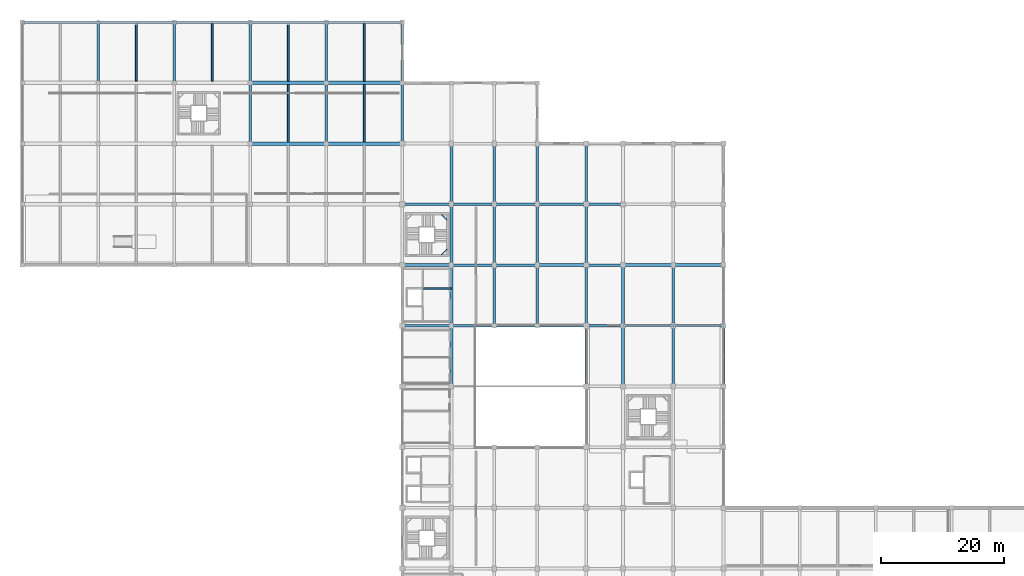
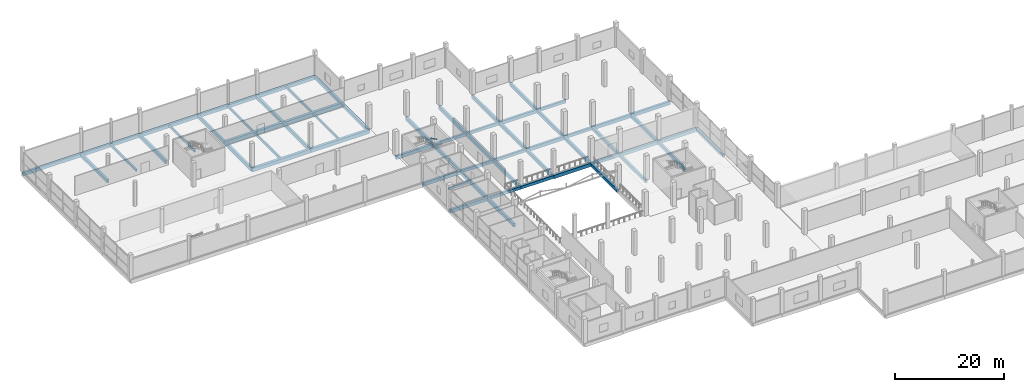
# One storey, part 30 of 74: 64 beams.
"""IFC4 building model written with IfcOpenShell, lengths in metres."""

import ifcopenshell
import ifcopenshell.guid

model = None  # the IFC model being written
_history = None  # IfcOwnerHistory: only IFC2X3 demands one
_inside = {}  # id of a spatial element -> (the spatial element, [elements in it])
_under = {}  # id of a project, library or spatial element -> (it, [spatial elements below it])
_declared = {}  # id of a project -> (the project, [libraries it declares])
_typed = {}  # id of a type object -> (the type object, [elements of that type])
_made_of = {}  # id of a material, layer set ... -> (it, [elements and type objects made of it])


def new_model(schema):
    """Start an empty IFC model of exactly this schema.

    Asked for "IFC4X3", IfcOpenShell would pick the latest addendum, in which some entities
    have other attributes; the version numbers below select the first issue.
    IFC2X3 requires an IfcOwnerHistory on every rooted entity: one is made here for all.
    """
    global model, _history
    if schema == "IFC4X3":
        model = ifcopenshell.file(schema_version=(4, 3, 0, 0))
    else:
        model = ifcopenshell.file(schema=schema)
    _inside.clear()
    _under.clear()
    _declared.clear()
    _typed.clear()
    _made_of.clear()
    _history = None
    if model.schema == "IFC2X3":
        org = make("IfcOrganization", Name="unknown")
        user = make(
            "IfcPersonAndOrganization",
            ThePerson=make("IfcPerson", FamilyName="unknown"),
            TheOrganization=org,
        )
        app = make(
            "IfcApplication",
            ApplicationDeveloper=org,
            Version="unknown",
            ApplicationFullName="unknown",
            ApplicationIdentifier="unknown",
        )
        _history = make(
            "IfcOwnerHistory",
            OwningUser=user,
            OwningApplication=app,
            ChangeAction="ADDED",
            CreationDate=0,
        )
    return model


def make(cls, **values):
    """One entity of the class cls with the attributes given. An attribute that is None is left unset."""
    return model.create_entity(
        cls, **{name: value for name, value in values.items() if value is not None}
    )


def rooted(cls, **values):
    """An entity with a GlobalId (a new one), such as an element, a storey or a relation."""
    return make(cls, GlobalId=ifcopenshell.guid.new(), OwnerHistory=_history, **values)


def si_unit(unit_type, name, prefix=None):
    """IfcSIUnit, for example si_unit("LENGTHUNIT", "METRE", prefix="MILLI")."""
    return make("IfcSIUnit", UnitType=unit_type, Prefix=prefix, Name=name)


def assignment(units):
    """IfcUnitAssignment: the units of a project."""
    return None if units is None else make("IfcUnitAssignment", Units=units)


def point(xyz):
    """IfcCartesianPoint."""
    return None if xyz is None else make("IfcCartesianPoint", Coordinates=xyz)


def direction(xyz):
    """IfcDirection."""
    return None if xyz is None else make("IfcDirection", DirectionRatios=xyz)


def frame(location, z_axis=None, x_axis=None):
    """IfcAxis2Placement3D, a coordinate frame: its origin and axes. An axis left out is left unset."""
    return make(
        "IfcAxis2Placement3D",
        Location=point(location),
        Axis=direction(z_axis),
        RefDirection=direction(x_axis),
    )


def frame_2d(location, x_axis=None):
    """IfcAxis2Placement2D, a coordinate frame in the plane: its origin and x axis."""
    return make(
        "IfcAxis2Placement2D", Location=point(location), RefDirection=direction(x_axis)
    )


def origin():
    """The frame at (0, 0, 0) with its axes left unset."""
    return frame((0.0, 0.0, 0.0))


def origin_2d():
    """The frame at (0, 0) in the plane with its x axis left unset."""
    return frame_2d((0.0, 0.0))


def place(relative_to, where):
    """IfcLocalPlacement: puts the frame where relative to a parent placement (None: the world)."""
    return make(
        "IfcLocalPlacement", PlacementRelTo=relative_to, RelativePlacement=where
    )


def context(
    kind, dimensions, precision=None, world=None, true_north=None, identifier=None
):
    """IfcGeometricRepresentationContext, for example the 3D "Model" context."""
    return make(
        "IfcGeometricRepresentationContext",
        ContextIdentifier=identifier,
        ContextType=kind,
        CoordinateSpaceDimension=dimensions,
        Precision=precision,
        WorldCoordinateSystem=world,
        TrueNorth=true_north,
    )


def subcontext(parent, identifier, kind, view, scale=None):
    """IfcGeometricRepresentationSubContext, for example "Body" below "Model"."""
    return make(
        "IfcGeometricRepresentationSubContext",
        ContextIdentifier=identifier,
        ContextType=kind,
        ParentContext=parent,
        TargetScale=scale,
        TargetView=view,
    )


def project(units=None, contexts=None):
    """IfcProject with its units and contexts."""
    return rooted(
        "IfcProject",
        Name="project",
        RepresentationContexts=contexts,
        UnitsInContext=assignment(units),
    )


def spatial(cls, under=None, at=None, **own):
    """A site, building, storey or space (cls), placed at a placement, below another one or the project."""
    s = rooted(cls, ObjectPlacement=at, **own)
    if under is not None:
        _under.setdefault(under.id(), (under, []))[1].append(s)
    return s


def profile(cls, at=None, kind="AREA", **sizes):
    """A parametric profile (cls). Its sizes go by their IFC names, for example OverallWidth=200.0."""
    return make(cls, ProfileType=kind, Position=at, **sizes)


def rectangle(**sizes):
    """IfcRectangleProfileDef."""
    return profile("IfcRectangleProfileDef", **sizes)


def hollow_rectangle(**sizes):
    """IfcRectangleHollowProfileDef."""
    return profile("IfcRectangleHollowProfileDef", **sizes)


def extrude(swept, where, along, depth):
    """IfcExtrudedAreaSolid: the profile swept, set in the frame where, extruded along a direction by depth."""
    return make(
        "IfcExtrudedAreaSolid",
        SweptArea=swept,
        Position=where,
        ExtrudedDirection=direction(along),
        Depth=depth,
    )


def shape(context_of_items, identifier, shape_type, items):
    """IfcShapeRepresentation: the items that make up one representation, for example the "Body"."""
    return make(
        "IfcShapeRepresentation",
        ContextOfItems=context_of_items,
        RepresentationIdentifier=identifier,
        RepresentationType=shape_type,
        Items=items,
    )


def material(Name=None, Category=None):
    """IfcMaterial."""
    return make("IfcMaterial", Name=Name, Category=Category)


def material_profile(
    of_material, cross_section, Name=None, Category=None, Priority=None
):
    """IfcMaterialProfile: a cross section and its material."""
    return make(
        "IfcMaterialProfile",
        Name=Name,
        Material=of_material,
        Profile=cross_section,
        Priority=Priority,
        Category=Category,
    )


def profile_set(profiles, Name=None, composite=None):
    """IfcMaterialProfileSet."""
    return make(
        "IfcMaterialProfileSet",
        Name=Name,
        MaterialProfiles=profiles,
        CompositeProfile=composite,
    )


def made_of(thing, what):
    """Note that an element or type object is made of a material, layer set ...; save() writes the relation."""
    if what is not None:
        _made_of.setdefault(what.id(), (what, []))[1].append(thing)
    return thing


def type_object(cls, material=None, **own):
    """A type object (cls), such as IfcWallType, which elements share."""
    return made_of(rooted(cls, **own), material)


def element(
    cls,
    number,
    at=None,
    inside=None,
    cuts=None,
    type_object=None,
    material=None,
    context=None,
    identifier="Body",
    shape_type=None,
    held_by="IfcProductDefinitionShape",
    body=None,
    shapes=None,
    **own,
):
    """One element of the class cls, such as IfcWall. Its Tag is "e" and its number.

    at: its placement. inside: the storey or other place that contains it. cuts: it is an
    opening in that element (IfcRelVoidsElement). A single representation is given by context,
    identifier, shape_type and body (its items); several are given by shapes. held_by: the class
    of the entity that holds the representations. save() writes the other relations.
    """
    e = rooted(cls, Tag="e%d" % number, ObjectPlacement=at, **own)
    if body is not None:
        shapes = [shape(context, identifier, shape_type, body)]
    if shapes is not None:
        e.Representation = make(held_by, Representations=shapes)
    if inside is not None:
        _inside.setdefault(inside.id(), (inside, []))[1].append(e)
    if cuts is not None:
        rooted(
            "IfcRelVoidsElement", RelatingBuildingElement=cuts, RelatedOpeningElement=e
        )
    if type_object is not None:
        _typed.setdefault(type_object.id(), (type_object, []))[1].append(e)
    return made_of(e, material)


def aggregate(whole, parts):
    """IfcRelAggregates: a whole, such as a stair, and the parts it consists of."""
    return rooted("IfcRelAggregates", RelatingObject=whole, RelatedObjects=parts)


def save(model, path):
    """Write the relations noted so far, then the file.

    IfcRelAggregates (storeys below a building ...), IfcRelContainedInSpatialStructure (elements
    in a storey), IfcRelDefinesByType, IfcRelAssociatesMaterial and IfcRelDeclares: one each for
    every whole, place, type object, material and project.
    """
    for whole, parts in _under.values():
        aggregate(whole, parts)
    for where, things in _inside.values():
        rooted(
            "IfcRelContainedInSpatialStructure",
            RelatedElements=things,
            RelatingStructure=where,
        )
    for kind, things in _typed.values():
        rooted("IfcRelDefinesByType", RelatedObjects=things, RelatingType=kind)
    for what, things in _made_of.values():
        rooted("IfcRelAssociatesMaterial", RelatedObjects=things, RelatingMaterial=what)
    for by, libraries in _declared.values():
        rooted("IfcRelDeclares", RelatingContext=by, RelatedDefinitions=libraries)
    model.write(path)


model = new_model("IFC4")

# Units and contexts
model_context = context("Model", 3, precision=1e-05, world=origin(), true_north=direction((0.0, 1.0)))
body_context = subcontext(model_context, "Body", "Model", "MODEL_VIEW")
ifc_project = project(units=[si_unit("LENGTHUNIT", "METRE"), si_unit("AREAUNIT", "SQUARE_METRE"), si_unit("VOLUMEUNIT", "CUBIC_METRE"), si_unit("PLANEANGLEUNIT", "RADIAN"), si_unit("MASSUNIT", "GRAM", prefix="KILO")], contexts=[model_context])

# Site, building, storey
site_placement = place(None, origin())
site = spatial("IfcSite", under=ifc_project, at=site_placement, CompositionType="ELEMENT")
building_placement = place(site_placement, origin())
building = spatial("IfcBuilding", under=site, at=building_placement, Name="Sillaruma Civic Art Gallery", CompositionType="ELEMENT")
storey_placement = place(building_placement, frame((0.0, 0.0, 5.43994140625)))
storey = spatial("IfcBuildingStorey", under=building, at=storey_placement, Name="L01", CompositionType="ELEMENT", Elevation=5.43994140625)

# Beams
ifc_material_1 = material(Name="Concrete H35 (35 MPa)", Category="concrete")
ifc_material_profile_1 = material_profile(ifc_material_1, rectangle(XDim=0.39990234375, YDim=0.64990234375, at=origin_2d()), Name="RCB400x650")
ifc_profile_set_1 = profile_set([ifc_material_profile_1], Name="Concrete H35 (35 MPa)")
beam_type_1 = type_object("IfcBeamType", Name="BM-BEAM-RCB400x650", PredefinedType="BEAM", material=ifc_profile_set_1)
for number, where, z_axis, x_axis, name in (
    (1, (70.0, 69.300048828125, -0.5849609375), (1.0, 0.0, 0.0), (0.0, 1.0, 0.0), "Beam BM-05 (L00:8:G-H)"),
    (2, (77.0, 69.300048828125, -0.5849609375), (1.0, 0.0, 0.0), (0.0, 1.0, 0.0), "Beam BM-05 (L00:8:H-J)"),
):
    element("IfcBeam", number, at=place(storey_placement, frame(where, z_axis=z_axis, x_axis=x_axis)), inside=storey, type_object=beam_type_1, Name=name, PredefinedType="BEAM", context=body_context, shape_type="SweptSolid", body=[
        extrude(rectangle(XDim=0.39990234375, YDim=0.64990234375, at=origin_2d()), origin(), (0.0, 0.0, 1.0), 7.0),
    ])
beam_1_placement = place(storey_placement, frame((92.0, 69.300048828125, -0.5849609375), z_axis=(1.0, 0.0, 0.0), x_axis=(0.0, 1.0, 0.0)))
element("IfcBeam", 3, at=beam_1_placement, inside=storey, type_object=beam_type_1, Name="Beam BM-05 (L00:8:K-L)", PredefinedType="BEAM", context=body_context, shape_type="SweptSolid", body=[
    extrude(rectangle(XDim=0.39990234375, YDim=0.64990234375, at=origin_2d()), origin(), (0.0, 0.0, 1.0), 6.0),
])
for number, where, z_axis, x_axis, name in (
    (4, (70.0, 79.199951171875, -0.5849609375), (1.0, 0.0, 0.0), (0.0, 1.0, 0.0), "Beam BM-05 (L00:9:G-H)"),
    (5, (77.0, 79.199951171875, -0.5849609375), (1.0, 0.0, 0.0), (0.0, 1.0, 0.0), "Beam BM-05 (L00:9:H-J)"),
):
    element("IfcBeam", number, at=place(storey_placement, frame(where, z_axis=z_axis, x_axis=x_axis)), inside=storey, type_object=beam_type_1, Name=name, PredefinedType="BEAM", context=body_context, shape_type="SweptSolid", body=[
        extrude(rectangle(XDim=0.39990234375, YDim=0.64990234375, at=origin_2d()), origin(), (0.0, 0.0, 1.0), 7.0),
    ])
beam_2_placement = place(storey_placement, frame((92.0, 79.199951171875, -0.5849609375), z_axis=(1.0, 0.0, 0.0), x_axis=(0.0, 1.0, 0.0)))
element("IfcBeam", 6, at=beam_2_placement, inside=storey, type_object=beam_type_1, Name="Beam BM-05 (L00:9:K-L)", PredefinedType="BEAM", context=body_context, shape_type="SweptSolid", body=[
    extrude(rectangle(XDim=0.39990234375, YDim=0.64990234375, at=origin_2d()), origin(), (0.0, 0.0, 1.0), 6.0),
])
for number, where, z_axis, x_axis, name in (
    (7, (70.0, 89.10009765625, -0.5849609375), (1.0, 0.0, 0.0), (0.0, 1.0, 0.0), "Beam BM-05 (L00:10:G-H)"),
    (8, (77.0, 89.10009765625, -0.5849609375), (1.0, 0.0, 0.0), (0.0, 1.0, 0.0), "Beam BM-05 (L00:10:H-J)"),
):
    element("IfcBeam", number, at=place(storey_placement, frame(where, z_axis=z_axis, x_axis=x_axis)), inside=storey, type_object=beam_type_1, Name=name, PredefinedType="BEAM", context=body_context, shape_type="SweptSolid", body=[
        extrude(rectangle(XDim=0.39990234375, YDim=0.64990234375, at=origin_2d()), origin(), (0.0, 0.0, 1.0), 7.0),
    ])
beam_3_placement = place(storey_placement, frame((92.0, 89.10009765625, -0.5849609375), z_axis=(1.0, 0.0, 0.0), x_axis=(0.0, 1.0, 0.0)))
element("IfcBeam", 9, at=beam_3_placement, inside=storey, type_object=beam_type_1, Name="Beam BM-05 (L00:10:K-L)", PredefinedType="BEAM", context=body_context, shape_type="SweptSolid", body=[
    extrude(rectangle(XDim=0.39990234375, YDim=0.64990234375, at=origin_2d()), origin(), (0.0, 0.0, 1.0), 6.0),
])
ifc_material_2 = material(Name="Concrete H40 (40 MPa)", Category="concrete")
ifc_material_profile_2 = material_profile(ifc_material_2, rectangle(XDim=0.449951171875, YDim=0.75, at=origin_2d()), Name="RCB450x750")
ifc_profile_set_2 = profile_set([ifc_material_profile_2], Name="Concrete H40 (40 MPa)")
beam_type_2 = type_object("IfcBeamType", Name="BM-BEAM-RCB450x750", PredefinedType="BEAM", material=ifc_profile_set_2)
for number, where, z_axis, x_axis, name in (
    (10, (62.0, 69.300048828125, -0.635009765625), (1.0, 0.0, 0.0), (0.0, 1.0, 0.0), "Beam BM-03 (L00:8:F-G)"),
    (11, (84.0, 69.300048828125, -0.635009765625), (1.0, 0.0, 0.0), (0.0, 1.0, 0.0), "Beam BM-03 (L00:8:J-K)"),
):
    element("IfcBeam", number, at=place(storey_placement, frame(where, z_axis=z_axis, x_axis=x_axis)), inside=storey, type_object=beam_type_2, Name=name, PredefinedType="BEAM", context=body_context, shape_type="SweptSolid", body=[
        extrude(rectangle(XDim=0.449951171875, YDim=0.75, at=origin_2d()), origin(), (0.0, 0.0, 1.0), 8.0),
    ])
for number, where, z_axis, x_axis, name in (
    (12, (98.0, 69.300048828125, -0.635009765625), (1.0, 0.0, 0.0), (0.0, 1.0, 0.0), "Beam BM-03 (L00:8:L-M)"),
    (13, (106.199951171875, 69.300048828125, -0.635009765625), (1.0, 0.0, 0.0), (0.0, 1.0, 0.0), "Beam BM-03 (L00:8:M-N)"),
):
    element("IfcBeam", number, at=place(storey_placement, frame(where, z_axis=z_axis, x_axis=x_axis)), inside=storey, type_object=beam_type_2, Name=name, PredefinedType="BEAM", context=body_context, shape_type="SweptSolid", body=[
        extrude(rectangle(XDim=0.449951171875, YDim=0.75, at=origin_2d()), origin(), (0.0, 0.0, 1.0), 8.199951171875),
    ])
for number, where, z_axis, x_axis, name in (
    (14, (62.0, 79.199951171875, -0.635009765625), (1.0, 0.0, 0.0), (0.0, 1.0, 0.0), "Beam BM-03 (L00:9:F-G)"),
    (15, (84.0, 79.199951171875, -0.635009765625), (1.0, 0.0, 0.0), (0.0, 1.0, 0.0), "Beam BM-03 (L00:9:J-K)"),
):
    element("IfcBeam", number, at=place(storey_placement, frame(where, z_axis=z_axis, x_axis=x_axis)), inside=storey, type_object=beam_type_2, Name=name, PredefinedType="BEAM", context=body_context, shape_type="SweptSolid", body=[
        extrude(rectangle(XDim=0.449951171875, YDim=0.75, at=origin_2d()), origin(), (0.0, 0.0, 1.0), 8.0),
    ])
for number, where, z_axis, x_axis, name in (
    (16, (98.0, 79.199951171875, -0.635009765625), (1.0, 0.0, 0.0), (0.0, 1.0, 0.0), "Beam BM-03 (L00:9:L-M)"),
    (17, (106.199951171875, 79.199951171875, -0.635009765625), (1.0, 0.0, 0.0), (0.0, 1.0, 0.0), "Beam BM-03 (L00:9:M-N)"),
):
    element("IfcBeam", number, at=place(storey_placement, frame(where, z_axis=z_axis, x_axis=x_axis)), inside=storey, type_object=beam_type_2, Name=name, PredefinedType="BEAM", context=body_context, shape_type="SweptSolid", body=[
        extrude(rectangle(XDim=0.449951171875, YDim=0.75, at=origin_2d()), origin(), (0.0, 0.0, 1.0), 8.199951171875),
    ])
for number, where, z_axis, x_axis, name in (
    (18, (62.0, 89.10009765625, -0.635009765625), (1.0, 0.0, 0.0), (0.0, 1.0, 0.0), "Beam BM-03 (L00:10:F-G)"),
    (19, (84.0, 89.10009765625, -0.635009765625), (1.0, 0.0, 0.0), (0.0, 1.0, 0.0), "Beam BM-03 (L00:10:J-K)"),
):
    element("IfcBeam", number, at=place(storey_placement, frame(where, z_axis=z_axis, x_axis=x_axis)), inside=storey, type_object=beam_type_2, Name=name, PredefinedType="BEAM", context=body_context, shape_type="SweptSolid", body=[
        extrude(rectangle(XDim=0.449951171875, YDim=0.75, at=origin_2d()), origin(), (0.0, 0.0, 1.0), 8.0),
    ])
for number, where, z_axis, x_axis, name in (
    (20, (12.39990234375, 108.89990234375, -0.635009765625), (0.0, 1.0, 0.0), (-1.0, 0.0, 0.0), "Beam BM-03 (L00:B:12-13)"),
    (21, (24.800048828125, 108.89990234375, -0.635009765625), (0.0, 1.0, 0.0), (-1.0, 0.0, 0.0), "Beam BM-03 (L00:C:12-13)"),
):
    element("IfcBeam", number, at=place(storey_placement, frame(where, z_axis=z_axis, x_axis=x_axis)), inside=storey, type_object=beam_type_2, Name=name, PredefinedType="BEAM", context=body_context, shape_type="SweptSolid", body=[
        extrude(rectangle(XDim=0.449951171875, YDim=0.75, at=origin_2d()), origin(), (0.0, 0.0, 1.0), 9.900146484375),
    ])
beam_4_placement = place(storey_placement, frame((37.199951171875, 99.0, -0.635009765625), z_axis=(0.0, 1.0, 0.0), x_axis=(-1.0, 0.0, 0.0)))
element("IfcBeam", 22, at=beam_4_placement, inside=storey, type_object=beam_type_2, Name="Beam BM-03 (L00:D:11-12)", PredefinedType="BEAM", context=body_context, shape_type="SweptSolid", body=[
    extrude(rectangle(XDim=0.449951171875, YDim=0.75, at=origin_2d()), origin(), (0.0, 0.0, 1.0), 9.89990234375),
])
beam_5_placement = place(storey_placement, frame((37.199951171875, 108.89990234375, -0.635009765625), z_axis=(0.0, 1.0, 0.0), x_axis=(-1.0, 0.0, 0.0)))
element("IfcBeam", 23, at=beam_5_placement, inside=storey, type_object=beam_type_2, Name="Beam BM-03 (L00:D:12-13)", PredefinedType="BEAM", context=body_context, shape_type="SweptSolid", body=[
    extrude(rectangle(XDim=0.449951171875, YDim=0.75, at=origin_2d()), origin(), (0.0, 0.0, 1.0), 9.900146484375),
])
beam_6_placement = place(storey_placement, frame((49.60009765625, 99.0, -0.635009765625), z_axis=(0.0, 1.0, 0.0), x_axis=(-1.0, 0.0, 0.0)))
element("IfcBeam", 24, at=beam_6_placement, inside=storey, type_object=beam_type_2, Name="Beam BM-03 (L00:E:11-12)", PredefinedType="BEAM", context=body_context, shape_type="SweptSolid", body=[
    extrude(rectangle(XDim=0.449951171875, YDim=0.75, at=origin_2d()), origin(), (0.0, 0.0, 1.0), 9.89990234375),
])
for number, where, z_axis, x_axis, name in (
    (25, (49.60009765625, 108.89990234375, -0.635009765625), (0.0, 1.0, 0.0), (-1.0, 0.0, 0.0), "Beam BM-03 (L00:E:12-13)"),
    (26, (70.0, 59.39990234375, -0.635009765625), (0.0, 1.0, 0.0), (-1.0, 0.0, 0.0), "Beam BM-03 (L00:G:7-8)"),
):
    element("IfcBeam", number, at=place(storey_placement, frame(where, z_axis=z_axis, x_axis=x_axis)), inside=storey, type_object=beam_type_2, Name=name, PredefinedType="BEAM", context=body_context, shape_type="SweptSolid", body=[
        extrude(rectangle(XDim=0.449951171875, YDim=0.75, at=origin_2d()), origin(), (0.0, 0.0, 1.0), 9.900146484375),
    ])
beam_7_placement = place(storey_placement, frame((70.0, 69.300048828125, -0.635009765625), z_axis=(0.0, 1.0, 0.0), x_axis=(-1.0, 0.0, 0.0)))
element("IfcBeam", 27, at=beam_7_placement, inside=storey, type_object=beam_type_2, Name="Beam BM-03 (L00:G:8-9)", PredefinedType="BEAM", context=body_context, shape_type="SweptSolid", body=[
    extrude(rectangle(XDim=0.449951171875, YDim=0.75, at=origin_2d()), origin(), (0.0, 0.0, 1.0), 9.89990234375),
])
beam_8_placement = place(storey_placement, frame((70.0, 79.199951171875, -0.635009765625), z_axis=(0.0, 1.0, 0.0), x_axis=(-1.0, 0.0, 0.0)))
element("IfcBeam", 28, at=beam_8_placement, inside=storey, type_object=beam_type_2, Name="Beam BM-03 (L00:G:9-10)", PredefinedType="BEAM", context=body_context, shape_type="SweptSolid", body=[
    extrude(rectangle(XDim=0.449951171875, YDim=0.75, at=origin_2d()), origin(), (0.0, 0.0, 1.0), 9.900146484375),
])
for number, where, z_axis, x_axis, name in (
    (29, (70.0, 89.10009765625, -0.635009765625), (0.0, 1.0, 0.0), (-1.0, 0.0, 0.0), "Beam BM-03 (L00:G:10-11)"),
    (30, (77.0, 69.300048828125, -0.635009765625), (0.0, 1.0, 0.0), (-1.0, 0.0, 0.0), "Beam BM-03 (L00:H:8-9)"),
):
    element("IfcBeam", number, at=place(storey_placement, frame(where, z_axis=z_axis, x_axis=x_axis)), inside=storey, type_object=beam_type_2, Name=name, PredefinedType="BEAM", context=body_context, shape_type="SweptSolid", body=[
        extrude(rectangle(XDim=0.449951171875, YDim=0.75, at=origin_2d()), origin(), (0.0, 0.0, 1.0), 9.89990234375),
    ])
beam_9_placement = place(storey_placement, frame((77.0, 79.199951171875, -0.635009765625), z_axis=(0.0, 1.0, 0.0), x_axis=(-1.0, 0.0, 0.0)))
element("IfcBeam", 31, at=beam_9_placement, inside=storey, type_object=beam_type_2, Name="Beam BM-03 (L00:H:9-10)", PredefinedType="BEAM", context=body_context, shape_type="SweptSolid", body=[
    extrude(rectangle(XDim=0.449951171875, YDim=0.75, at=origin_2d()), origin(), (0.0, 0.0, 1.0), 9.900146484375),
])
for number, where, z_axis, x_axis, name in (
    (32, (77.0, 89.10009765625, -0.635009765625), (0.0, 1.0, 0.0), (-1.0, 0.0, 0.0), "Beam BM-03 (L00:H:10-11)"),
    (33, (84.0, 69.300048828125, -0.635009765625), (0.0, 1.0, 0.0), (-1.0, 0.0, 0.0), "Beam BM-03 (L00:J:8-9)"),
):
    element("IfcBeam", number, at=place(storey_placement, frame(where, z_axis=z_axis, x_axis=x_axis)), inside=storey, type_object=beam_type_2, Name=name, PredefinedType="BEAM", context=body_context, shape_type="SweptSolid", body=[
        extrude(rectangle(XDim=0.449951171875, YDim=0.75, at=origin_2d()), origin(), (0.0, 0.0, 1.0), 9.89990234375),
    ])
beam_10_placement = place(storey_placement, frame((84.0, 79.199951171875, -0.635009765625), z_axis=(0.0, 1.0, 0.0), x_axis=(-1.0, 0.0, 0.0)))
element("IfcBeam", 34, at=beam_10_placement, inside=storey, type_object=beam_type_2, Name="Beam BM-03 (L00:J:9-10)", PredefinedType="BEAM", context=body_context, shape_type="SweptSolid", body=[
    extrude(rectangle(XDim=0.449951171875, YDim=0.75, at=origin_2d()), origin(), (0.0, 0.0, 1.0), 9.900146484375),
])
beam_11_placement = place(storey_placement, frame((84.0, 89.10009765625, -0.635009765625), z_axis=(0.0, 1.0, 0.0), x_axis=(-1.0, 0.0, 0.0)))
element("IfcBeam", 35, at=beam_11_placement, inside=storey, type_object=beam_type_2, Name="Beam BM-03 (L00:J:10-11)", PredefinedType="BEAM", context=body_context, shape_type="SweptSolid", body=[
    extrude(rectangle(XDim=0.449951171875, YDim=0.75, at=origin_2d()), origin(), (0.0, 0.0, 1.0), 9.89990234375),
])
beam_12_placement = place(storey_placement, frame((106.199951171875, 59.39990234375, -0.635009765625), z_axis=(0.0, 1.0, 0.0), x_axis=(-1.0, 0.0, 0.0)))
element("IfcBeam", 36, at=beam_12_placement, inside=storey, type_object=beam_type_2, Name="Beam BM-03 (L00:M:7-8)", PredefinedType="BEAM", context=body_context, shape_type="SweptSolid", body=[
    extrude(rectangle(XDim=0.449951171875, YDim=0.75, at=origin_2d()), origin(), (0.0, 0.0, 1.0), 9.900146484375),
])
beam_13_placement = place(storey_placement, frame((106.199951171875, 69.300048828125, -0.635009765625), z_axis=(0.0, 1.0, 0.0), x_axis=(-1.0, 0.0, 0.0)))
element("IfcBeam", 37, at=beam_13_placement, inside=storey, type_object=beam_type_2, Name="Beam BM-03 (L00:M:8-9)", PredefinedType="BEAM", context=body_context, shape_type="SweptSolid", body=[
    extrude(rectangle(XDim=0.449951171875, YDim=0.75, at=origin_2d()), origin(), (0.0, 0.0, 1.0), 9.89990234375),
])
ifc_material_profile_3 = material_profile(ifc_material_2, rectangle(XDim=0.550048828125, YDim=0.85009765625, at=origin_2d()), Name="RCB550x850")
ifc_profile_set_3 = profile_set([ifc_material_profile_3], Name="Concrete H40 (40 MPa)")
beam_type_3 = type_object("IfcBeamType", Name="BM-BEAM-RCB550x850", PredefinedType="BEAM", material=ifc_profile_set_3)
beam_14_placement = place(storey_placement, frame((37.199951171875, 99.0, -0.68505859375), z_axis=(1.0, 0.0, 0.0), x_axis=(0.0, 1.0, 0.0)))
element("IfcBeam", 38, at=beam_14_placement, inside=storey, type_object=beam_type_3, Name="Beam BM-01 (L00:11:D-E)", PredefinedType="BEAM", context=body_context, shape_type="SweptSolid", body=[
    extrude(rectangle(XDim=0.550048828125, YDim=0.85009765625, at=origin_2d()), origin(), (0.0, 0.0, 1.0), 12.400146484375),
])
beam_15_placement = place(storey_placement, frame((49.60009765625, 99.0, -0.68505859375), z_axis=(1.0, 0.0, 0.0), x_axis=(0.0, 1.0, 0.0)))
element("IfcBeam", 39, at=beam_15_placement, inside=storey, type_object=beam_type_3, Name="Beam BM-01 (L00:11:E-F)", PredefinedType="BEAM", context=body_context, shape_type="SweptSolid", body=[
    extrude(rectangle(XDim=0.550048828125, YDim=0.85009765625, at=origin_2d()), origin(), (0.0, 0.0, 1.0), 12.39990234375),
])
beam_16_placement = place(storey_placement, frame((37.199951171875, 108.89990234375, -0.68505859375), z_axis=(1.0, 0.0, 0.0), x_axis=(0.0, 1.0, 0.0)))
element("IfcBeam", 40, at=beam_16_placement, inside=storey, type_object=beam_type_3, Name="Beam BM-01 (L00:12:D-E)", PredefinedType="BEAM", context=body_context, shape_type="SweptSolid", body=[
    extrude(rectangle(XDim=0.550048828125, YDim=0.85009765625, at=origin_2d()), origin(), (0.0, 0.0, 1.0), 12.400146484375),
])
beam_17_placement = place(storey_placement, frame((49.60009765625, 108.89990234375, -0.68505859375), z_axis=(1.0, 0.0, 0.0), x_axis=(0.0, 1.0, 0.0)))
element("IfcBeam", 41, at=beam_17_placement, inside=storey, type_object=beam_type_3, Name="Beam BM-01 (L00:12:E-F)", PredefinedType="BEAM", context=body_context, shape_type="SweptSolid", body=[
    extrude(rectangle(XDim=0.550048828125, YDim=0.85009765625, at=origin_2d()), origin(), (0.0, 0.0, 1.0), 12.39990234375),
])
ifc_material_profile_4 = material_profile(ifc_material_1, rectangle(XDim=0.300048828125, YDim=0.52001953125, at=origin_2d()), Name="RCB300x520")
ifc_profile_set_4 = profile_set([ifc_material_profile_4], Name="Concrete H35 (35 MPa)")
beam_type_4 = type_object("IfcBeamType", Name="BM-JOIST-RCB300x520", PredefinedType="JOIST", material=ifc_profile_set_4)
for number, where, z_axis, x_axis, name in (
    (42, (43.39990234375, 99.27490234375, -0.52001953125), (0.0, 1.0, 0.0), (-1.0, 0.0, 0.0), "Floor Joist JR-01 (L00:DE:11-12)"),
    (43, (55.800048828125, 99.27490234375, -0.52001953125), (0.0, 1.0, 0.0), (-1.0, 0.0, 0.0), "Floor Joist JR-01 (L00:EF:11-12)"),
):
    element("IfcBeam", number, at=place(storey_placement, frame(where, z_axis=z_axis, x_axis=x_axis)), inside=storey, type_object=beam_type_4, Name=name, PredefinedType="JOIST", context=body_context, shape_type="SweptSolid", body=[
        extrude(rectangle(XDim=0.300048828125, YDim=0.52001953125, at=origin_2d()), origin(), (0.0, 0.0, 1.0), 9.35009765625),
    ])
for number, where, z_axis, x_axis, name in (
    (44, (18.60009765625, 109.175048828125, -0.52001953125), (0.0, 1.0, 0.0), (-1.0, 0.0, 0.0), "Floor Joist JR-01 (L00:BC:12-13)"),
    (45, (31.0, 109.175048828125, -0.52001953125), (0.0, 1.0, 0.0), (-1.0, 0.0, 0.0), "Floor Joist JR-01 (L00:CD:12-13)"),
    (46, (43.39990234375, 109.175048828125, -0.52001953125), (0.0, 1.0, 0.0), (-1.0, 0.0, 0.0), "Floor Joist JR-01 (L00:DE:12-13)"),
    (47, (55.800048828125, 109.175048828125, -0.52001953125), (0.0, 1.0, 0.0), (-1.0, 0.0, 0.0), "Floor Joist JR-01 (L00:EF:12-13)"),
):
    element("IfcBeam", number, at=place(storey_placement, frame(where, z_axis=z_axis, x_axis=x_axis)), inside=storey, type_object=beam_type_4, Name=name, PredefinedType="JOIST", context=body_context, shape_type="SweptSolid", body=[
        extrude(rectangle(XDim=0.300048828125, YDim=0.52001953125, at=origin_2d()), origin(), (0.0, 0.0, 1.0), 9.39990234375),
    ])
ifc_material_profile_5 = material_profile(ifc_material_1, rectangle(XDim=0.300048828125, YDim=0.4599609375, at=origin_2d()), Name="RCB300x460")
ifc_profile_set_5 = profile_set([ifc_material_profile_5], Name="Concrete H35 (35 MPa)")
beam_type_5 = type_object("IfcBeamType", Name="BM-LINTEL-RCB300x460", PredefinedType="LINTEL", material=ifc_profile_set_5)
beam_18_placement = place(storey_placement, frame((65.25, 75.3798828125, -0.489990234375), z_axis=(1.0, 0.0, 0.0), x_axis=(0.0, 1.0, 0.0)))
element("IfcBeam", 48, at=beam_18_placement, inside=storey, type_object=beam_type_5, Name="Core Portal Coupling Lintel BL-01 (L00:FFL)", PredefinedType="LINTEL", context=body_context, shape_type="SweptSolid", body=[
    extrude(rectangle(XDim=0.300048828125, YDim=0.4599609375, at=origin_2d()), origin(), (0.0, 0.0, 1.0), 4.75),
])
ifc_material_3 = material(Name="Structural Steel ASTM A500 Gr.C", Category="steel")
ifc_material_profile_6 = material_profile(ifc_material_3, hollow_rectangle(XDim=0.080078125, YDim=0.159912109375, WallThickness=0.008056640625, InnerFilletRadius=0.008056640625, OuterFilletRadius=0.01611328125, at=origin_2d()), Name="HSS160x80x8")
ifc_profile_set_6 = profile_set([ifc_material_profile_6], Name="Structural Steel ASTM A500 Gr.C")
beam_type_6 = type_object("IfcBeamType", Name="BM-LND-HSS160", PredefinedType="BEAM", material=ifc_profile_set_6)
for number, where, z_axis, x_axis, name in (
    (49, (68.389892578125, 80.8701171875, 1.080078125), (0.707203758046, 0.707009791025, 0.0), (-0.707009791025, 0.707203758046, 0.0), "Stair Corner Landing Trimmer Beam (ST-02-L01-1)"),
    (50, (68.389892578125, 87.429931640625, 2.43994140625), (0.707203758046, -0.707009791025, 0.0), (0.707009791025, 0.707203758046, 0.0), "Stair Corner Landing Trimmer Beam (ST-02-L01-2)"),
):
    element("IfcBeam", number, at=place(storey_placement, frame(where, z_axis=z_axis, x_axis=x_axis)), inside=storey, type_object=beam_type_6, Name=name, PredefinedType="BEAM", context=body_context, shape_type="SweptSolid", body=[
        extrude(hollow_rectangle(XDim=0.080078125, YDim=0.159912109375, WallThickness=0.008056640625, InnerFilletRadius=0.008056640625, OuterFilletRadius=0.01611328125, at=origin_2d()), origin(), (0.0, 0.0, 1.0), 1.2587890625),
    ])
ifc_material_profile_7 = material_profile(ifc_material_1, rectangle(XDim=0.449951171875, YDim=0.699951171875, at=origin_2d()), Name="RCB450x700")
ifc_profile_set_7 = profile_set([ifc_material_profile_7], Name="Concrete H35 (35 MPa)")
beam_type_7 = type_object("IfcBeamType", Name="BM-SPANDREL-RCB450x700", PredefinedType="SPANDREL", material=ifc_profile_set_7)
beam_19_placement = place(storey_placement, frame((62.0, 99.0, -0.60986328125), z_axis=(0.0, 1.0, 0.0), x_axis=(-1.0, 0.0, 0.0)))
element("IfcBeam", 51, at=beam_19_placement, inside=storey, type_object=beam_type_7, Name="Beam BS-03 (L00:F:11-12)", PredefinedType="SPANDREL", context=body_context, shape_type="SweptSolid", body=[
    extrude(rectangle(XDim=0.449951171875, YDim=0.699951171875, at=origin_2d()), origin(), (0.0, 0.0, 1.0), 9.89990234375),
])
for number, where, z_axis, x_axis, name in (
    (52, (62.0, 108.89990234375, -0.60986328125), (0.0, 1.0, 0.0), (-1.0, 0.0, 0.0), "Beam BS-03 (L00:F:12-13)"),
    (53, (92.0, 59.39990234375, -0.60986328125), (0.0, 1.0, 0.0), (-1.0, 0.0, 0.0), "Beam BS-03 (L00:K:7-8)"),
):
    element("IfcBeam", number, at=place(storey_placement, frame(where, z_axis=z_axis, x_axis=x_axis)), inside=storey, type_object=beam_type_7, Name=name, PredefinedType="SPANDREL", context=body_context, shape_type="SweptSolid", body=[
        extrude(rectangle(XDim=0.449951171875, YDim=0.699951171875, at=origin_2d()), origin(), (0.0, 0.0, 1.0), 9.900146484375),
    ])
beam_20_placement = place(storey_placement, frame((92.0, 69.300048828125, -0.60986328125), z_axis=(0.0, 1.0, 0.0), x_axis=(-1.0, 0.0, 0.0)))
element("IfcBeam", 54, at=beam_20_placement, inside=storey, type_object=beam_type_7, Name="Beam BS-03 (L00:K:8-9)", PredefinedType="SPANDREL", context=body_context, shape_type="SweptSolid", body=[
    extrude(rectangle(XDim=0.449951171875, YDim=0.699951171875, at=origin_2d()), origin(), (0.0, 0.0, 1.0), 9.89990234375),
])
beam_21_placement = place(storey_placement, frame((92.0, 79.199951171875, -0.60986328125), z_axis=(0.0, 1.0, 0.0), x_axis=(-1.0, 0.0, 0.0)))
element("IfcBeam", 55, at=beam_21_placement, inside=storey, type_object=beam_type_7, Name="Beam BS-03 (L00:K:9-10)", PredefinedType="SPANDREL", context=body_context, shape_type="SweptSolid", body=[
    extrude(rectangle(XDim=0.449951171875, YDim=0.699951171875, at=origin_2d()), origin(), (0.0, 0.0, 1.0), 9.900146484375),
])
beam_22_placement = place(storey_placement, frame((92.0, 89.10009765625, -0.60986328125), z_axis=(0.0, 1.0, 0.0), x_axis=(-1.0, 0.0, 0.0)))
element("IfcBeam", 56, at=beam_22_placement, inside=storey, type_object=beam_type_7, Name="Beam BS-03 (L00:K:10-11)", PredefinedType="SPANDREL", context=body_context, shape_type="SweptSolid", body=[
    extrude(rectangle(XDim=0.449951171875, YDim=0.699951171875, at=origin_2d()), origin(), (0.0, 0.0, 1.0), 9.89990234375),
])
beam_23_placement = place(storey_placement, frame((98.0, 59.39990234375, -0.60986328125), z_axis=(0.0, 1.0, 0.0), x_axis=(-1.0, 0.0, 0.0)))
element("IfcBeam", 57, at=beam_23_placement, inside=storey, type_object=beam_type_7, Name="Beam BS-03 (L00:L:7-8)", PredefinedType="SPANDREL", context=body_context, shape_type="SweptSolid", body=[
    extrude(rectangle(XDim=0.449951171875, YDim=0.699951171875, at=origin_2d()), origin(), (0.0, 0.0, 1.0), 9.900146484375),
])
beam_24_placement = place(storey_placement, frame((98.0, 69.300048828125, -0.60986328125), z_axis=(0.0, 1.0, 0.0), x_axis=(-1.0, 0.0, 0.0)))
element("IfcBeam", 58, at=beam_24_placement, inside=storey, type_object=beam_type_7, Name="Beam BS-03 (L00:L:8-9)", PredefinedType="SPANDREL", context=body_context, shape_type="SweptSolid", body=[
    extrude(rectangle(XDim=0.449951171875, YDim=0.699951171875, at=origin_2d()), origin(), (0.0, 0.0, 1.0), 9.89990234375),
])
beam_25_placement = place(storey_placement, frame((114.39990234375, 59.39990234375, -0.60986328125), z_axis=(0.0, 1.0, 0.0), x_axis=(-1.0, 0.0, 0.0)))
element("IfcBeam", 59, at=beam_25_placement, inside=storey, type_object=beam_type_7, Name="Beam BS-03 (L00:N:7-8)", PredefinedType="SPANDREL", context=body_context, shape_type="SweptSolid", body=[
    extrude(rectangle(XDim=0.449951171875, YDim=0.699951171875, at=origin_2d()), origin(), (0.0, 0.0, 1.0), 9.900146484375),
])
ifc_material_profile_8 = material_profile(ifc_material_2, rectangle(XDim=0.449951171875, YDim=0.75, at=origin_2d()), Name="RCB450x750")
ifc_profile_set_8 = profile_set([ifc_material_profile_8], Name="Concrete H40 (40 MPa)")
beam_type_8 = type_object("IfcBeamType", Name="BM-SPANDREL-RCB450x750", PredefinedType="SPANDREL", material=ifc_profile_set_8)
beam_26_placement = place(storey_placement, frame((0.0, 118.800048828125, -0.635009765625), z_axis=(1.0, 0.0, 0.0), x_axis=(0.0, 1.0, 0.0)))
element("IfcBeam", 60, at=beam_26_placement, inside=storey, type_object=beam_type_8, Name="Beam BS-01 (L00:13:A-B)", PredefinedType="SPANDREL", context=body_context, shape_type="SweptSolid", body=[
    extrude(rectangle(XDim=0.449951171875, YDim=0.75, at=origin_2d()), origin(), (0.0, 0.0, 1.0), 12.39990234375),
])
beam_27_placement = place(storey_placement, frame((12.39990234375, 118.800048828125, -0.635009765625), z_axis=(1.0, 0.0, 0.0), x_axis=(0.0, 1.0, 0.0)))
element("IfcBeam", 61, at=beam_27_placement, inside=storey, type_object=beam_type_8, Name="Beam BS-01 (L00:13:B-C)", PredefinedType="SPANDREL", context=body_context, shape_type="SweptSolid", body=[
    extrude(rectangle(XDim=0.449951171875, YDim=0.75, at=origin_2d()), origin(), (0.0, 0.0, 1.0), 12.400146484375),
])
beam_28_placement = place(storey_placement, frame((24.800048828125, 118.800048828125, -0.635009765625), z_axis=(1.0, 0.0, 0.0), x_axis=(0.0, 1.0, 0.0)))
element("IfcBeam", 62, at=beam_28_placement, inside=storey, type_object=beam_type_8, Name="Beam BS-01 (L00:13:C-D)", PredefinedType="SPANDREL", context=body_context, shape_type="SweptSolid", body=[
    extrude(rectangle(XDim=0.449951171875, YDim=0.75, at=origin_2d()), origin(), (0.0, 0.0, 1.0), 12.39990234375),
])
beam_29_placement = place(storey_placement, frame((37.199951171875, 118.800048828125, -0.635009765625), z_axis=(1.0, 0.0, 0.0), x_axis=(0.0, 1.0, 0.0)))
element("IfcBeam", 63, at=beam_29_placement, inside=storey, type_object=beam_type_8, Name="Beam BS-01 (L00:13:D-E)", PredefinedType="SPANDREL", context=body_context, shape_type="SweptSolid", body=[
    extrude(rectangle(XDim=0.449951171875, YDim=0.75, at=origin_2d()), origin(), (0.0, 0.0, 1.0), 12.400146484375),
])
beam_30_placement = place(storey_placement, frame((49.60009765625, 118.800048828125, -0.635009765625), z_axis=(1.0, 0.0, 0.0), x_axis=(0.0, 1.0, 0.0)))
element("IfcBeam", 64, at=beam_30_placement, inside=storey, type_object=beam_type_8, Name="Beam BS-01 (L00:13:E-F)", PredefinedType="SPANDREL", context=body_context, shape_type="SweptSolid", body=[
    extrude(rectangle(XDim=0.449951171875, YDim=0.75, at=origin_2d()), origin(), (0.0, 0.0, 1.0), 12.39990234375),
])

save(model, "model.ifc")
